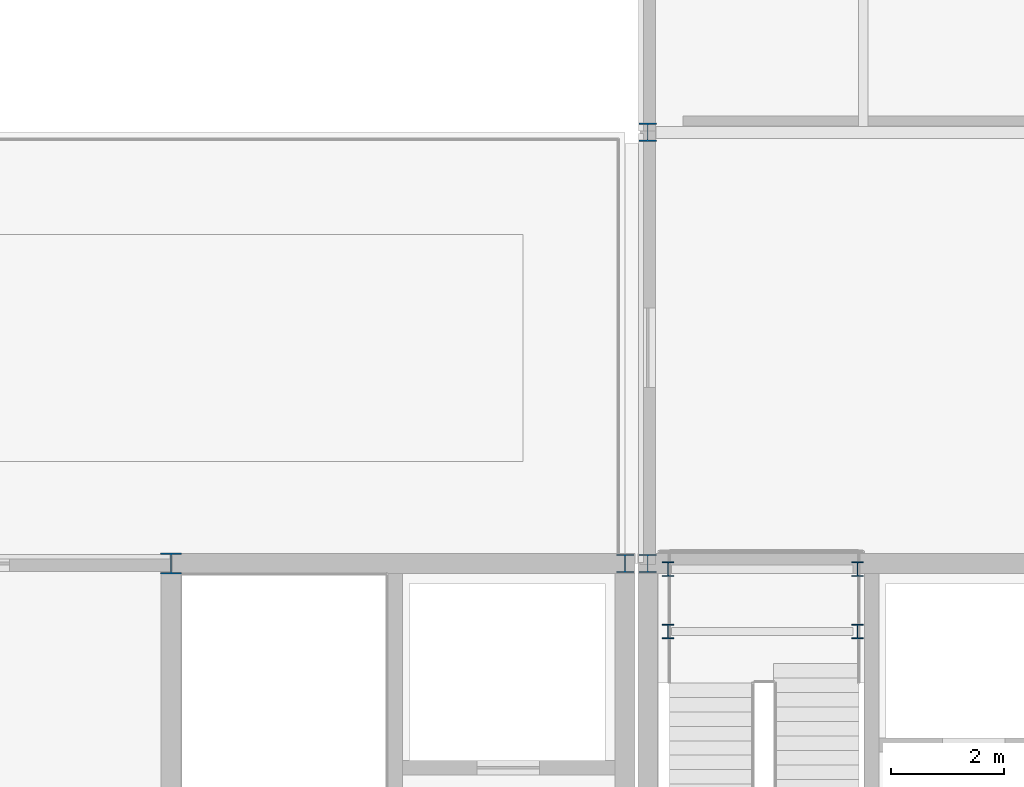
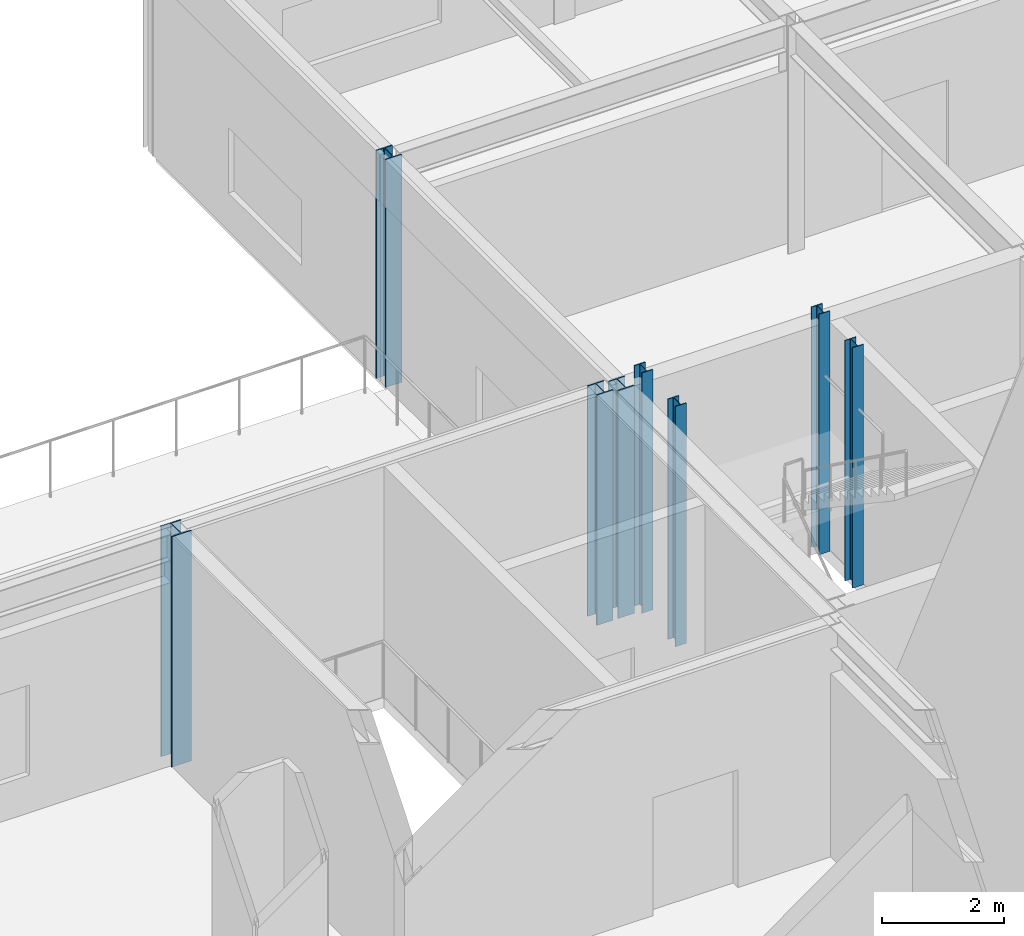
# One storey, part 10 of 100: 8 columns.
"""IFC4 building model written with IfcOpenShell, lengths in metres."""

from ifc_helpers import new_model, si_unit, direction, frame, origin, origin_2d, place, context, subcontext, project, spatial, i_section, extrude, material, material_profile, profile_set, type_object, element, save


model = new_model("IFC4")

# Units and contexts
model_context = context("Model", 3, precision=1e-05, world=origin(), true_north=direction((0.0, 1.0)))
body_context = subcontext(model_context, "Body", "Model", "MODEL_VIEW")
ifc_project = project(units=[si_unit("LENGTHUNIT", "METRE"), si_unit("AREAUNIT", "SQUARE_METRE"), si_unit("VOLUMEUNIT", "CUBIC_METRE"), si_unit("PLANEANGLEUNIT", "RADIAN"), si_unit("MASSUNIT", "GRAM", prefix="KILO")], contexts=[model_context])

# Site, building, storey
site_placement = place(None, origin())
site = spatial("IfcSite", under=ifc_project, at=site_placement, CompositionType="ELEMENT")
building_placement = place(site_placement, origin())
building = spatial("IfcBuilding", under=site, at=building_placement, Name="Zulena Civic Courthouse", CompositionType="ELEMENT")
storey_placement = place(building_placement, frame((0.0, 0.0, 20.39990234375)))
storey = spatial("IfcBuildingStorey", under=building, at=storey_placement, Name="L04", CompositionType="ELEMENT", Elevation=20.39990234375)

# Columns
ifc_material = material(Name="Steel ASTM A992 Grade 50", Category="steel")
ifc_material_profile_1 = material_profile(ifc_material, i_section(OverallWidth=0.2041015625, OverallDepth=0.257080078125, WebThickness=0.0087890625, FlangeThickness=0.015625, FilletRadius=0.0126953125, at=origin_2d()), Name="W10X45")
ifc_profile_set_1 = profile_set([ifc_material_profile_1], Name="Steel ASTM A992 Grade 50")
column_type_1 = type_object("IfcColumnType", Name="Col_W10X45", PredefinedType="COLUMN", material=ifc_profile_set_1)
for number, where, z_axis, x_axis, name in (
    (1, (124.760009765625, 36.800048828125, 0.0), (0.0, 0.0, 1.0), (1.0, 0.0, 0.0), "col:lnd:K3A:L04:0:0"),
    (2, (128.10009765625, 36.800048828125, 0.0), (0.0, 0.0, 1.0), (1.0, 0.0, 0.0), "col:lnd:K3A:L04:0:1"),
    (3, (124.760009765625, 37.89990234375, 0.0), (0.0, 0.0, 1.0), (1.0, 0.0, 0.0), "col:lnd:K3A:L04:1:0"),
    (4, (128.10009765625, 37.89990234375, 0.0), (0.0, 0.0, 1.0), (1.0, 0.0, 0.0), "col:lnd:K3A:L04:1:1"),
):
    element("IfcColumn", number, at=place(storey_placement, frame(where, z_axis=z_axis, x_axis=x_axis)), inside=storey, type_object=column_type_1, Name=name, PredefinedType="COLUMN", context=body_context, shape_type="SweptSolid", body=[
        extrude(i_section(OverallWidth=0.2041015625, OverallDepth=0.257080078125, WebThickness=0.0087890625, FlangeThickness=0.015625, FilletRadius=0.0126953125, at=origin_2d()), origin(), (0.0, 0.0, 1.0), 4.795166015625),
    ])
ifc_material_profile_2 = material_profile(ifc_material, i_section(OverallWidth=0.30908203125, OverallDepth=0.322998046875, WebThickness=0.013916015625, FlangeThickness=0.02294921875, FilletRadius=0.01513671875, at=origin_2d()), Name="W12X96")
ifc_profile_set_2 = profile_set([ifc_material_profile_2], Name="Steel ASTM A992 Grade 50")
column_type_2 = type_object("IfcColumnType", Name="Col_W12X96", PredefinedType="COLUMN", material=ifc_profile_set_2)
for number, where, z_axis, x_axis, name in (
    (5, (124.39990234375, 38.0, 0.0), (0.0, 0.0, 1.0), (1.0, 0.0, 0.0), "col:V3:L04:124.4:38.0"),
    (6, (124.39990234375, 45.60009765625, 0.0), (0.0, 0.0, 1.0), (1.0, 0.0, 0.0), "col:V3:L04:124.4:45.6"),
):
    element("IfcColumn", number, at=place(storey_placement, frame(where, z_axis=z_axis, x_axis=x_axis)), inside=storey, type_object=column_type_2, Name=name, PredefinedType="COLUMN", context=body_context, shape_type="SweptSolid", body=[
        extrude(i_section(OverallWidth=0.30908203125, OverallDepth=0.322998046875, WebThickness=0.013916015625, FlangeThickness=0.02294921875, FilletRadius=0.01513671875, at=origin_2d()), origin(), (0.0, 0.0, 1.0), 4.545166015625),
    ])
column_1_placement = place(storey_placement, frame((124.0, 38.0, 0.0), z_axis=(0.0, 0.0, 1.0), x_axis=(1.0, 0.0, 0.0)))
element("IfcColumn", 7, at=column_1_placement, inside=storey, type_object=column_type_2, Name="col:V4:L04:124.0:38.0", PredefinedType="COLUMN", context=body_context, shape_type="SweptSolid", body=[
    extrude(i_section(OverallWidth=0.30908203125, OverallDepth=0.322998046875, WebThickness=0.013916015625, FlangeThickness=0.02294921875, FilletRadius=0.01513671875, at=origin_2d()), origin(), (0.0, 0.0, 1.0), 4.59521484375),
])
ifc_material_profile_3 = material_profile(ifc_material, i_section(OverallWidth=0.373046875, OverallDepth=0.367919921875, WebThickness=0.014892578125, FlangeThickness=0.02392578125, FilletRadius=0.01513671875, at=origin_2d()), Name="W14X120")
ifc_profile_set_3 = profile_set([ifc_material_profile_3], Name="Steel ASTM A992 Grade 50")
column_type_3 = type_object("IfcColumnType", Name="Col_W14X120", PredefinedType="COLUMN", material=ifc_profile_set_3)
column_2_placement = place(storey_placement, frame((116.0, 38.0, 0.0), z_axis=(0.0, 0.0, 1.0), x_axis=(1.0, 0.0, 0.0)))
element("IfcColumn", 8, at=column_2_placement, inside=storey, type_object=column_type_3, Name="col:V4:L04:116.0:38.0", PredefinedType="COLUMN", context=body_context, shape_type="SweptSolid", body=[
    extrude(i_section(OverallWidth=0.373046875, OverallDepth=0.367919921875, WebThickness=0.014892578125, FlangeThickness=0.02392578125, FilletRadius=0.01513671875, at=origin_2d()), origin(), (0.0, 0.0, 1.0), 4.59521484375),
])

save(model, "model.ifc")
